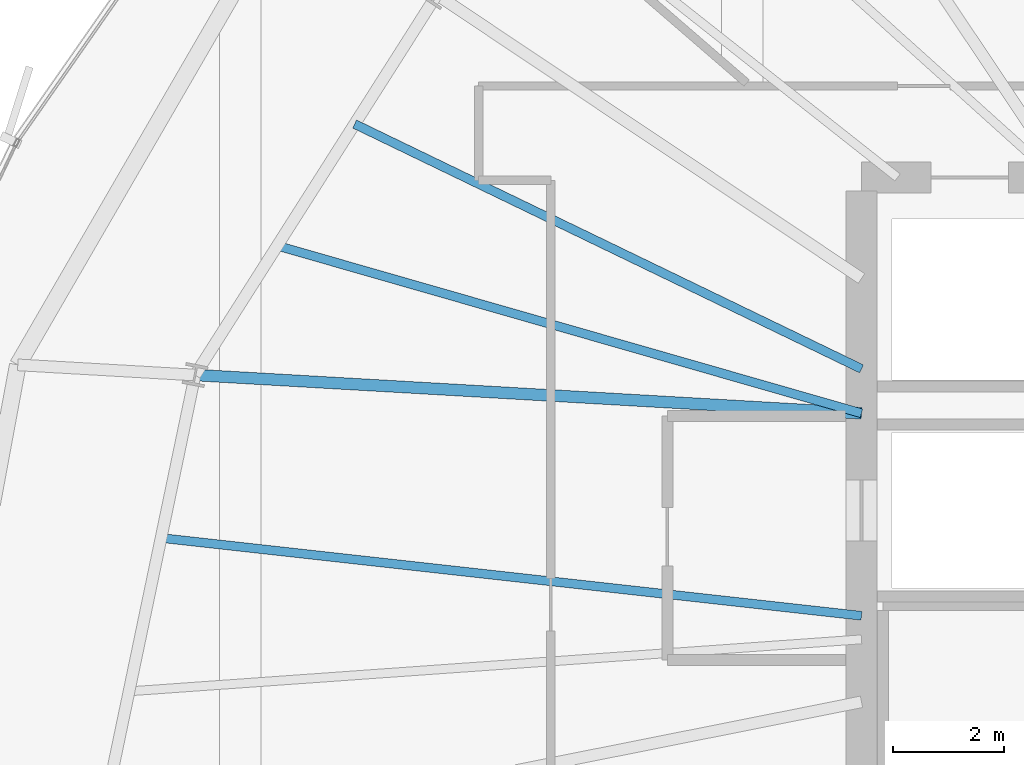
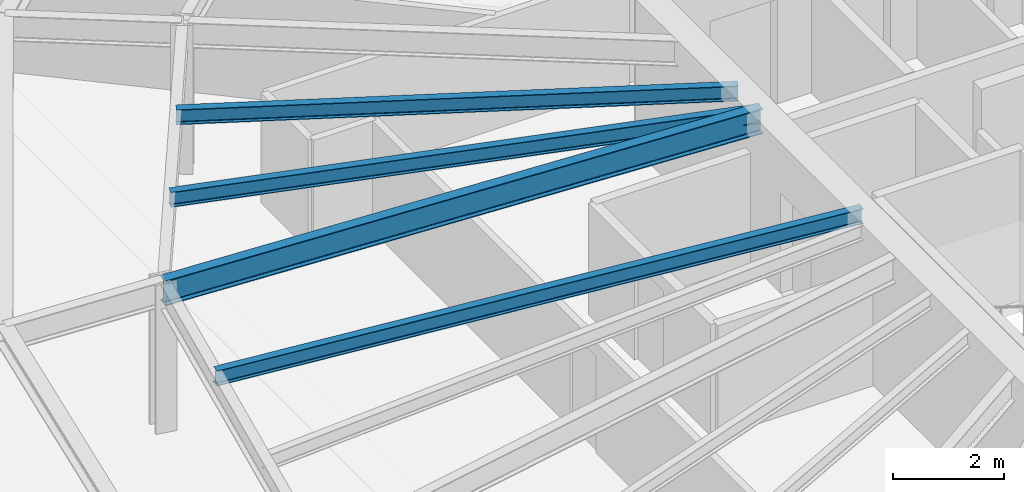
# One storey, part 11 of 35: 4 beams.
"""IFC4 building model written with IfcOpenShell, lengths in metres."""

from ifc_helpers import new_model, si_unit, direction, frame, origin, origin_2d, place, context, subcontext, project, spatial, i_section, extrude, source, transform, mapped, material, material_profile, profile_set, type_object, element, save


model = new_model("IFC4")

# Units and contexts
model_context = context("Model", 3, precision=1e-05, world=origin(), true_north=direction((0.0, 1.0)))
body_context = subcontext(model_context, "Body", "Model", "MODEL_VIEW")
ifc_project = project(units=[si_unit("LENGTHUNIT", "METRE"), si_unit("AREAUNIT", "SQUARE_METRE"), si_unit("VOLUMEUNIT", "CUBIC_METRE"), si_unit("PLANEANGLEUNIT", "RADIAN"), si_unit("MASSUNIT", "GRAM", prefix="KILO"), si_unit("THERMODYNAMICTEMPERATUREUNIT", "KELVIN")], contexts=[model_context])

# Site, building, storey
site_placement = place(None, origin())
site = spatial("IfcSite", under=ifc_project, at=site_placement, CompositionType="ELEMENT")
building_placement = place(site_placement, origin())
building = spatial("IfcBuilding", under=site, at=building_placement, Name="Kethvar Cultural Tower", CompositionType="ELEMENT")
storey_placement = place(building_placement, frame((0.0, 0.0, 135.89990234375)))
storey = spatial("IfcBuildingStorey", under=building, at=storey_placement, Name="L34", CompositionType="ELEMENT", Elevation=135.89990234375)

# Beams
ifc_material = material(Name="Steel S355J2", Category="steel")
ifc_material_profile_1 = material_profile(ifc_material, i_section(OverallWidth=0.2099609375, OverallDepth=0.550048828125, WebThickness=0.010986328125, FlangeThickness=0.01708984375, FilletRadius=0.02392578125, at=origin_2d()), Name="Steel S355J2 — IPE550")
ifc_profile_set_1 = profile_set([ifc_material_profile_1], Name="Steel S355J2 — IPE550")
beam_type_1 = type_object("IfcBeamType", Name="BM-IPE550", PredefinedType="BEAM", material=ifc_profile_set_1)
shared_shape_1 = source(origin(), body_context, "Body", "SweptSolid", [
    extrude(i_section(OverallWidth=0.2099609375, OverallDepth=0.550048828125, WebThickness=0.010986328125, FlangeThickness=0.01708984375, FilletRadius=0.02392578125, at=origin_2d()), origin(), (0.0, 0.0, 1.0), 12.03125),
])
beam_1_placement = place(storey_placement, frame((38.0, 31.25, 3.023193359375), z_axis=(-0.998355544741, 0.057325441856, 0.0), x_axis=(-0.057325441856, -0.998355544741, 0.0)))
element("IfcBeam", 1, at=beam_1_placement, inside=storey, type_object=beam_type_1, Name="L34 Primary Radial Beam RB-08", PredefinedType="BEAM", context=body_context, shape_type="MappedRepresentation", body=[
    mapped(shared_shape_1, transform((0.0, 0.0, 0.0), scale=1.0)),
])
ifc_material_profile_2 = material_profile(ifc_material, i_section(OverallWidth=0.159912109375, OverallDepth=0.330078125, WebThickness=0.007568359375, FlangeThickness=0.011474609375, FilletRadius=0.01806640625, at=origin_2d()), Name="Steel S355J2 — IPE330")
ifc_profile_set_2 = profile_set([ifc_material_profile_2], Name="Steel S355J2 — IPE330")
beam_type_2 = type_object("IfcBeamType", Name="BM-J330", PredefinedType="JOIST", material=ifc_profile_set_2)
shared_shape_2 = source(origin(), body_context, "Body", "SweptSolid", [
    extrude(i_section(OverallWidth=0.159912109375, OverallDepth=0.330078125, WebThickness=0.007568359375, FlangeThickness=0.011474609375, FilletRadius=0.01806640625, at=origin_2d()), origin(), (0.0, 0.0, 1.0), 10.1455078125),
])
beam_2_placement = place(storey_placement, frame((38.0, 32.05078125, 3.133056640625), z_axis=(-0.90045122575, 0.434956997927, 0.0), x_axis=(-0.434956997927, -0.90045122575, 0.0)))
element("IfcBeam", 2, at=beam_2_placement, inside=storey, type_object=beam_type_2, Name="L34 Composite Floor Joist J-07A", PredefinedType="JOIST", context=body_context, shape_type="MappedRepresentation", body=[
    mapped(shared_shape_2, transform((0.0, 0.0, 0.0), scale=1.0)),
])
shared_shape_3 = source(origin(), body_context, "Body", "SweptSolid", [
    extrude(i_section(OverallWidth=0.159912109375, OverallDepth=0.330078125, WebThickness=0.007568359375, FlangeThickness=0.011474609375, FilletRadius=0.01806640625, at=origin_2d()), origin(), (0.0, 0.0, 1.0), 10.95458984375),
])
beam_3_placement = place(storey_placement, frame((38.0, 31.25, 3.133056640625), z_axis=(-0.96124170623, 0.275707058676, 0.0), x_axis=(-0.275707058676, -0.96124170623, 0.0)))
element("IfcBeam", 3, at=beam_3_placement, inside=storey, type_object=beam_type_2, Name="L34 Composite Floor Joist J-07B", PredefinedType="JOIST", context=body_context, shape_type="MappedRepresentation", body=[
    mapped(shared_shape_3, transform((0.0, 0.0, 0.0), scale=1.0)),
])
shared_shape_4 = source(origin(), body_context, "Body", "SweptSolid", [
    extrude(i_section(OverallWidth=0.159912109375, OverallDepth=0.330078125, WebThickness=0.007568359375, FlangeThickness=0.011474609375, FilletRadius=0.01806640625, at=origin_2d()), origin(), (0.0, 0.0, 1.0), 12.7021484375),
])
beam_4_placement = place(storey_placement, frame((38.0, 27.60009765625, 3.133056640625), z_axis=(-0.993884906591, 0.110420978309, 0.0), x_axis=(-0.110420978309, -0.993884906591, 0.0)))
element("IfcBeam", 4, at=beam_4_placement, inside=storey, type_object=beam_type_2, Name="L34 Composite Floor Joist J-08A", PredefinedType="JOIST", context=body_context, shape_type="MappedRepresentation", body=[
    mapped(shared_shape_4, transform((0.0, 0.0, 0.0), scale=1.0)),
])

save(model, "model.ifc")
